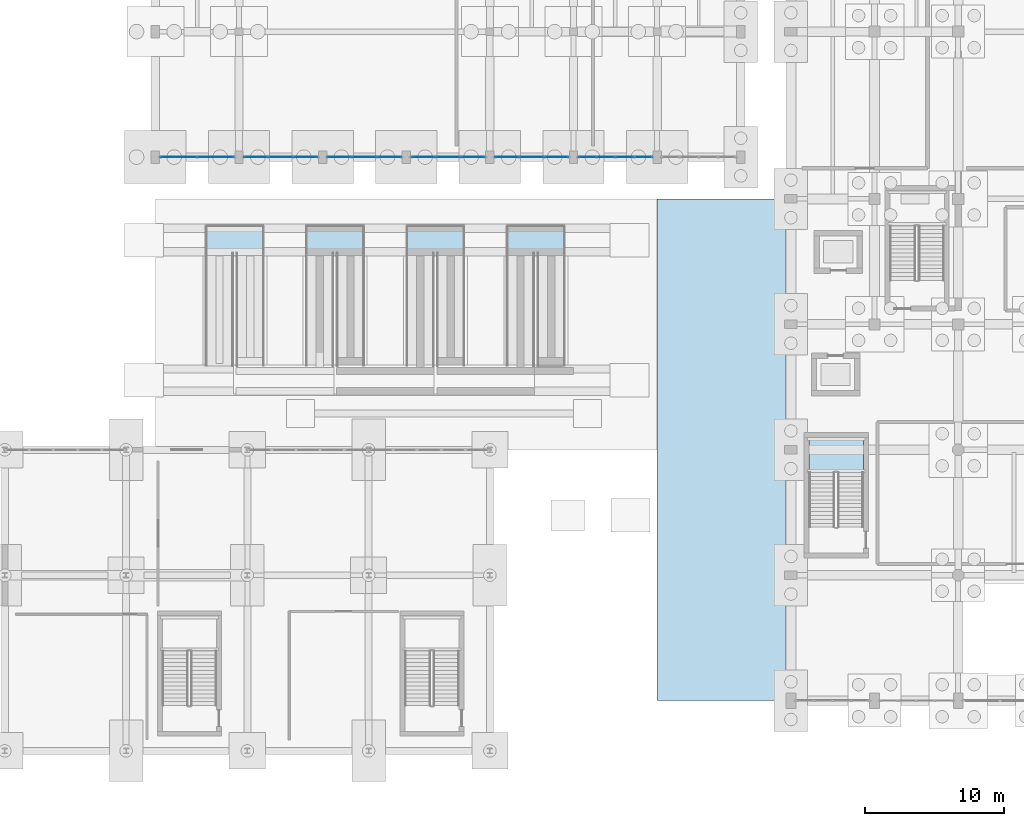
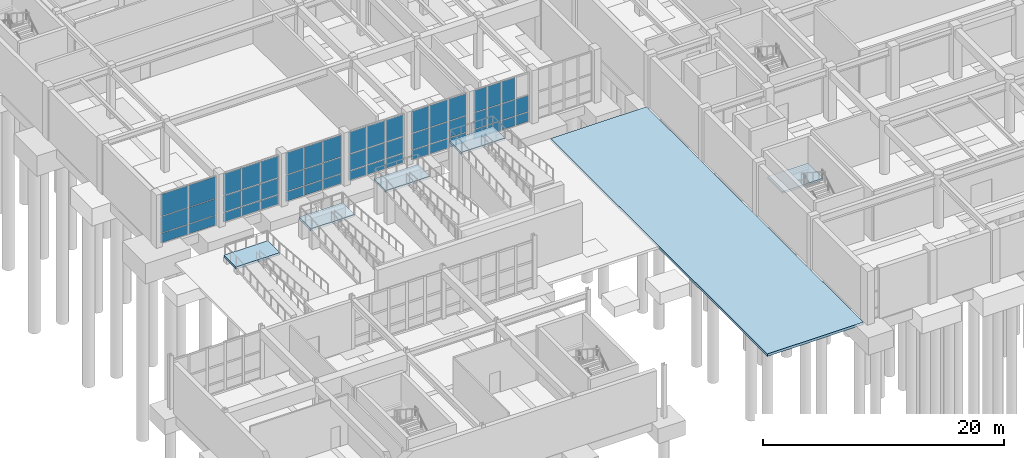
# One storey, part 43 of 69: 53 plates, 6 slabs, 11 elements without a shape of their own.
"""IFC4 building model written with IfcOpenShell, lengths in metres."""

import ifcopenshell
import ifcopenshell.guid

model = None  # the IFC model being written
_history = None  # IfcOwnerHistory: only IFC2X3 demands one
_inside = {}  # id of a spatial element -> (the spatial element, [elements in it])
_under = {}  # id of a project, library or spatial element -> (it, [spatial elements below it])
_declared = {}  # id of a project -> (the project, [libraries it declares])
_typed = {}  # id of a type object -> (the type object, [elements of that type])
_made_of = {}  # id of a material, layer set ... -> (it, [elements and type objects made of it])


def new_model(schema):
    """Start an empty IFC model of exactly this schema.

    Asked for "IFC4X3", IfcOpenShell would pick the latest addendum, in which some entities
    have other attributes; the version numbers below select the first issue.
    IFC2X3 requires an IfcOwnerHistory on every rooted entity: one is made here for all.
    """
    global model, _history
    if schema == "IFC4X3":
        model = ifcopenshell.file(schema_version=(4, 3, 0, 0))
    else:
        model = ifcopenshell.file(schema=schema)
    _inside.clear()
    _under.clear()
    _declared.clear()
    _typed.clear()
    _made_of.clear()
    _history = None
    if model.schema == "IFC2X3":
        org = make("IfcOrganization", Name="unknown")
        user = make(
            "IfcPersonAndOrganization",
            ThePerson=make("IfcPerson", FamilyName="unknown"),
            TheOrganization=org,
        )
        app = make(
            "IfcApplication",
            ApplicationDeveloper=org,
            Version="unknown",
            ApplicationFullName="unknown",
            ApplicationIdentifier="unknown",
        )
        _history = make(
            "IfcOwnerHistory",
            OwningUser=user,
            OwningApplication=app,
            ChangeAction="ADDED",
            CreationDate=0,
        )
    return model


def make(cls, **values):
    """One entity of the class cls with the attributes given. An attribute that is None is left unset."""
    return model.create_entity(
        cls, **{name: value for name, value in values.items() if value is not None}
    )


def rooted(cls, **values):
    """An entity with a GlobalId (a new one), such as an element, a storey or a relation."""
    return make(cls, GlobalId=ifcopenshell.guid.new(), OwnerHistory=_history, **values)


def si_unit(unit_type, name, prefix=None):
    """IfcSIUnit, for example si_unit("LENGTHUNIT", "METRE", prefix="MILLI")."""
    return make("IfcSIUnit", UnitType=unit_type, Prefix=prefix, Name=name)


def assignment(units):
    """IfcUnitAssignment: the units of a project."""
    return None if units is None else make("IfcUnitAssignment", Units=units)


def point(xyz):
    """IfcCartesianPoint."""
    return None if xyz is None else make("IfcCartesianPoint", Coordinates=xyz)


def direction(xyz):
    """IfcDirection."""
    return None if xyz is None else make("IfcDirection", DirectionRatios=xyz)


def frame(location, z_axis=None, x_axis=None):
    """IfcAxis2Placement3D, a coordinate frame: its origin and axes. An axis left out is left unset."""
    return make(
        "IfcAxis2Placement3D",
        Location=point(location),
        Axis=direction(z_axis),
        RefDirection=direction(x_axis),
    )


def frame_2d(location, x_axis=None):
    """IfcAxis2Placement2D, a coordinate frame in the plane: its origin and x axis."""
    return make(
        "IfcAxis2Placement2D", Location=point(location), RefDirection=direction(x_axis)
    )


def origin():
    """The frame at (0, 0, 0) with its axes left unset."""
    return frame((0.0, 0.0, 0.0))


def origin_2d():
    """The frame at (0, 0) in the plane with its x axis left unset."""
    return frame_2d((0.0, 0.0))


def place(relative_to, where):
    """IfcLocalPlacement: puts the frame where relative to a parent placement (None: the world)."""
    return make(
        "IfcLocalPlacement", PlacementRelTo=relative_to, RelativePlacement=where
    )


def context(
    kind, dimensions, precision=None, world=None, true_north=None, identifier=None
):
    """IfcGeometricRepresentationContext, for example the 3D "Model" context."""
    return make(
        "IfcGeometricRepresentationContext",
        ContextIdentifier=identifier,
        ContextType=kind,
        CoordinateSpaceDimension=dimensions,
        Precision=precision,
        WorldCoordinateSystem=world,
        TrueNorth=true_north,
    )


def subcontext(parent, identifier, kind, view, scale=None):
    """IfcGeometricRepresentationSubContext, for example "Body" below "Model"."""
    return make(
        "IfcGeometricRepresentationSubContext",
        ContextIdentifier=identifier,
        ContextType=kind,
        ParentContext=parent,
        TargetScale=scale,
        TargetView=view,
    )


def project(units=None, contexts=None):
    """IfcProject with its units and contexts."""
    return rooted(
        "IfcProject",
        Name="project",
        RepresentationContexts=contexts,
        UnitsInContext=assignment(units),
    )


def spatial(cls, under=None, at=None, **own):
    """A site, building, storey or space (cls), placed at a placement, below another one or the project."""
    s = rooted(cls, ObjectPlacement=at, **own)
    if under is not None:
        _under.setdefault(under.id(), (under, []))[1].append(s)
    return s


def polyline(points):
    """IfcPolyline through the points."""
    return make("IfcPolyline", Points=[point(p) for p in points])


def profile(cls, at=None, kind="AREA", **sizes):
    """A parametric profile (cls). Its sizes go by their IFC names, for example OverallWidth=200.0."""
    return make(cls, ProfileType=kind, Position=at, **sizes)


def rectangle(**sizes):
    """IfcRectangleProfileDef."""
    return profile("IfcRectangleProfileDef", **sizes)


def outline(outer, holes=None, kind="AREA"):
    """IfcArbitraryClosedProfileDef: a profile drawn as a closed curve; with holes, ...WithVoids."""
    if holes is None:
        return make("IfcArbitraryClosedProfileDef", ProfileType=kind, OuterCurve=outer)
    return make(
        "IfcArbitraryProfileDefWithVoids",
        ProfileType=kind,
        OuterCurve=outer,
        InnerCurves=holes,
    )


def extrude(swept, where, along, depth):
    """IfcExtrudedAreaSolid: the profile swept, set in the frame where, extruded along a direction by depth."""
    return make(
        "IfcExtrudedAreaSolid",
        SweptArea=swept,
        Position=where,
        ExtrudedDirection=direction(along),
        Depth=depth,
    )


def shape(context_of_items, identifier, shape_type, items):
    """IfcShapeRepresentation: the items that make up one representation, for example the "Body"."""
    return make(
        "IfcShapeRepresentation",
        ContextOfItems=context_of_items,
        RepresentationIdentifier=identifier,
        RepresentationType=shape_type,
        Items=items,
    )


def material(Name=None, Category=None):
    """IfcMaterial."""
    return make("IfcMaterial", Name=Name, Category=Category)


def layer(
    of_material, thickness, ventilated=None, Name=None, Category=None, Priority=None
):
    """IfcMaterialLayer: one layer of a wall or slab, of a material (None: an air gap)."""
    return make(
        "IfcMaterialLayer",
        Material=of_material,
        LayerThickness=thickness,
        IsVentilated=ventilated,
        Name=Name,
        Category=Category,
        Priority=Priority,
    )


def layer_set(layers, Name=None):
    """IfcMaterialLayerSet."""
    return make("IfcMaterialLayerSet", MaterialLayers=layers, LayerSetName=Name)


def made_of(thing, what):
    """Note that an element or type object is made of a material, layer set ...; save() writes the relation."""
    if what is not None:
        _made_of.setdefault(what.id(), (what, []))[1].append(thing)
    return thing


def type_object(cls, material=None, **own):
    """A type object (cls), such as IfcWallType, which elements share."""
    return made_of(rooted(cls, **own), material)


def element(
    cls,
    number,
    at=None,
    inside=None,
    cuts=None,
    type_object=None,
    material=None,
    context=None,
    identifier="Body",
    shape_type=None,
    held_by="IfcProductDefinitionShape",
    body=None,
    shapes=None,
    **own,
):
    """One element of the class cls, such as IfcWall. Its Tag is "e" and its number.

    at: its placement. inside: the storey or other place that contains it. cuts: it is an
    opening in that element (IfcRelVoidsElement). A single representation is given by context,
    identifier, shape_type and body (its items); several are given by shapes. held_by: the class
    of the entity that holds the representations. save() writes the other relations.
    """
    e = rooted(cls, Tag="e%d" % number, ObjectPlacement=at, **own)
    if body is not None:
        shapes = [shape(context, identifier, shape_type, body)]
    if shapes is not None:
        e.Representation = make(held_by, Representations=shapes)
    if inside is not None:
        _inside.setdefault(inside.id(), (inside, []))[1].append(e)
    if cuts is not None:
        rooted(
            "IfcRelVoidsElement", RelatingBuildingElement=cuts, RelatedOpeningElement=e
        )
    if type_object is not None:
        _typed.setdefault(type_object.id(), (type_object, []))[1].append(e)
    return made_of(e, material)


def aggregate(whole, parts):
    """IfcRelAggregates: a whole, such as a stair, and the parts it consists of."""
    return rooted("IfcRelAggregates", RelatingObject=whole, RelatedObjects=parts)


def save(model, path):
    """Write the relations noted so far, then the file.

    IfcRelAggregates (storeys below a building ...), IfcRelContainedInSpatialStructure (elements
    in a storey), IfcRelDefinesByType, IfcRelAssociatesMaterial and IfcRelDeclares: one each for
    every whole, place, type object, material and project.
    """
    for whole, parts in _under.values():
        aggregate(whole, parts)
    for where, things in _inside.values():
        rooted(
            "IfcRelContainedInSpatialStructure",
            RelatedElements=things,
            RelatingStructure=where,
        )
    for kind, things in _typed.values():
        rooted("IfcRelDefinesByType", RelatedObjects=things, RelatingType=kind)
    for what, things in _made_of.values():
        rooted("IfcRelAssociatesMaterial", RelatedObjects=things, RelatingMaterial=what)
    for by, libraries in _declared.values():
        rooted("IfcRelDeclares", RelatingContext=by, RelatedDefinitions=libraries)
    model.write(path)


model = new_model("IFC4")

# Units and contexts
model_context = context("Model", 3, precision=1e-05, world=origin(), true_north=direction((0.0, 1.0)))
body_context = subcontext(model_context, "Body", "Model", "MODEL_VIEW")
ifc_project = project(units=[si_unit("LENGTHUNIT", "METRE"), si_unit("AREAUNIT", "SQUARE_METRE"), si_unit("VOLUMEUNIT", "CUBIC_METRE"), si_unit("PLANEANGLEUNIT", "RADIAN"), si_unit("MASSUNIT", "GRAM", prefix="KILO")], contexts=[model_context])

# Site, building, storey
site_placement = place(None, origin())
site = spatial("IfcSite", under=ifc_project, at=site_placement, CompositionType="ELEMENT")
building_placement = place(site_placement, origin())
building = spatial("IfcBuilding", under=site, at=building_placement, Name="Vaelkrest Opera House", CompositionType="ELEMENT")
storey_placement = place(building_placement, frame((0.0, 0.0, -5.39990234375)))
storey = spatial("IfcBuildingStorey", under=building, at=storey_placement, Name="B1", CompositionType="ELEMENT", Elevation=-5.39990234375)

# Curtain wall, plates
ifc_material_1 = material(Name="Dark bronze anodized aluminium", Category="aluminium")
ifc_layer_1 = layer(ifc_material_1, 0.18994140625)
ifc_layer_set_1 = layer_set([ifc_layer_1], Name="Dark bronze anodized aluminium")
curtain_wall_type_1 = type_object("IfcCurtainWallType", Name="CW02", PredefinedType="NOTDEFINED", material=ifc_layer_set_1)
curtain_wall_1_placement = place(storey_placement, origin())
curtain_wall_1 = element("IfcCurtainWall", 1, at=curtain_wall_1_placement, inside=storey, type_object=curtain_wall_type_1, Name="Curtain wall CW-B1-082", PredefinedType="NOTDEFINED")
ifc_material_2 = material(Name="Double low-E insulated glazing", Category="glass")
ifc_layer_2 = layer(ifc_material_2, 0.030029296875)
ifc_layer_set_2 = layer_set([ifc_layer_2], Name="Double low-E insulated glazing")
plate_type_1 = type_object("IfcPlateType", Name="CWP02", PredefinedType="CURTAIN_PANEL", material=ifc_layer_set_2)
plate_1_placement = place(storey_placement, frame((-40.591064453125, -16.800048828125, 0.06982421875), z_axis=(0.0, 0.0, 1.0), x_axis=(-1.0, 0.0, 0.0)))
plate_1 = element("IfcPlate", 2, at=plate_1_placement, type_object=plate_type_1, Name="CW02 panel 1.1", PredefinedType="CURTAIN_PANEL", context=body_context, shape_type="SweptSolid", body=[
    extrude(rectangle(XDim=1.24609375, YDim=0.030029296875, at=origin_2d()), origin(), (0.0, 0.0, 1.0), 0.945068359375),
])
plate_2_placement = place(storey_placement, frame((-40.591064453125, -16.800048828125, 1.0849609375), z_axis=(0.0, 0.0, 1.0), x_axis=(-1.0, 0.0, 0.0)))
plate_2 = element("IfcPlate", 3, at=plate_2_placement, type_object=plate_type_1, Name="CW02 panel 1.2", PredefinedType="CURTAIN_PANEL", context=body_context, shape_type="SweptSolid", body=[
    extrude(rectangle(XDim=1.24609375, YDim=0.030029296875, at=origin_2d()), origin(), (0.0, 0.0, 1.0), 1.6298828125),
])
plate_3_placement = place(storey_placement, frame((-41.924560546875, -16.800048828125, 0.06982421875), z_axis=(0.0, 0.0, 1.0), x_axis=(-1.0, 0.0, 0.0)))
plate_3 = element("IfcPlate", 4, at=plate_3_placement, type_object=plate_type_1, Name="CW02 panel 2.1", PredefinedType="CURTAIN_PANEL", context=body_context, shape_type="SweptSolid", body=[
    extrude(rectangle(XDim=1.281005859375, YDim=0.030029296875, at=origin_2d()), origin(), (0.0, 0.0, 1.0), 0.945068359375),
])
plate_4_placement = place(storey_placement, frame((-41.924560546875, -16.800048828125, 1.0849609375), z_axis=(0.0, 0.0, 1.0), x_axis=(-1.0, 0.0, 0.0)))
plate_4 = element("IfcPlate", 5, at=plate_4_placement, type_object=plate_type_1, Name="CW02 panel 2.2", PredefinedType="CURTAIN_PANEL", context=body_context, shape_type="SweptSolid", body=[
    extrude(rectangle(XDim=1.281005859375, YDim=0.030029296875, at=origin_2d()), origin(), (0.0, 0.0, 1.0), 1.6298828125),
])
plate_5_placement = place(storey_placement, frame((-41.924560546875, -16.800048828125, 2.78466796875), z_axis=(0.0, 0.0, 1.0), x_axis=(-1.0, 0.0, 0.0)))
plate_5 = element("IfcPlate", 6, at=plate_5_placement, type_object=plate_type_1, Name="CW02 panel 2.3", PredefinedType="CURTAIN_PANEL", context=body_context, shape_type="SweptSolid", body=[
    extrude(rectangle(XDim=1.281005859375, YDim=0.030029296875, at=origin_2d()), origin(), (0.0, 0.0, 1.0), 2.195068359375),
])
plate_6_placement = place(storey_placement, frame((-43.275390625, -16.800048828125, 0.06982421875), z_axis=(0.0, 0.0, 1.0), x_axis=(-1.0, 0.0, 0.0)))
plate_6 = element("IfcPlate", 7, at=plate_6_placement, type_object=plate_type_1, Name="CW02 panel 3.1", PredefinedType="CURTAIN_PANEL", context=body_context, shape_type="SweptSolid", body=[
    extrude(rectangle(XDim=1.281005859375, YDim=0.030029296875, at=origin_2d()), origin(), (0.0, 0.0, 1.0), 0.945068359375),
])
plate_7_placement = place(storey_placement, frame((-43.275390625, -16.800048828125, 1.0849609375), z_axis=(0.0, 0.0, 1.0), x_axis=(-1.0, 0.0, 0.0)))
plate_7 = element("IfcPlate", 8, at=plate_7_placement, type_object=plate_type_1, Name="CW02 panel 3.2", PredefinedType="CURTAIN_PANEL", context=body_context, shape_type="SweptSolid", body=[
    extrude(rectangle(XDim=1.281005859375, YDim=0.030029296875, at=origin_2d()), origin(), (0.0, 0.0, 1.0), 1.6298828125),
])
plate_8_placement = place(storey_placement, frame((-43.275390625, -16.800048828125, 2.78466796875), z_axis=(0.0, 0.0, 1.0), x_axis=(-1.0, 0.0, 0.0)))
plate_8 = element("IfcPlate", 9, at=plate_8_placement, type_object=plate_type_1, Name="CW02 panel 3.3", PredefinedType="CURTAIN_PANEL", context=body_context, shape_type="SweptSolid", body=[
    extrude(rectangle(XDim=1.281005859375, YDim=0.030029296875, at=origin_2d()), origin(), (0.0, 0.0, 1.0), 2.195068359375),
])
plate_9_placement = place(storey_placement, frame((-44.60888671875, -16.800048828125, 0.06982421875), z_axis=(0.0, 0.0, 1.0), x_axis=(-1.0, 0.0, 0.0)))
plate_9 = element("IfcPlate", 10, at=plate_9_placement, type_object=plate_type_1, Name="CW02 panel 4.1", PredefinedType="CURTAIN_PANEL", context=body_context, shape_type="SweptSolid", body=[
    extrude(rectangle(XDim=1.24609375, YDim=0.030029296875, at=origin_2d()), origin(), (0.0, 0.0, 1.0), 0.945068359375),
])
plate_10_placement = place(storey_placement, frame((-44.60888671875, -16.800048828125, 1.0849609375), z_axis=(0.0, 0.0, 1.0), x_axis=(-1.0, 0.0, 0.0)))
plate_10 = element("IfcPlate", 11, at=plate_10_placement, type_object=plate_type_1, Name="CW02 panel 4.2", PredefinedType="CURTAIN_PANEL", context=body_context, shape_type="SweptSolid", body=[
    extrude(rectangle(XDim=1.24609375, YDim=0.030029296875, at=origin_2d()), origin(), (0.0, 0.0, 1.0), 1.6298828125),
])
plate_11_placement = place(storey_placement, frame((-44.60888671875, -16.800048828125, 2.78466796875), z_axis=(0.0, 0.0, 1.0), x_axis=(-1.0, 0.0, 0.0)))
plate_11 = element("IfcPlate", 12, at=plate_11_placement, type_object=plate_type_1, Name="CW02 panel 4.3", PredefinedType="CURTAIN_PANEL", context=body_context, shape_type="SweptSolid", body=[
    extrude(rectangle(XDim=1.24609375, YDim=0.030029296875, at=origin_2d()), origin(), (0.0, 0.0, 1.0), 2.195068359375),
])
aggregate(curtain_wall_1, [plate_1, plate_2, plate_3, plate_4, plate_5, plate_6, plate_7, plate_8, plate_9, plate_10, plate_11])

ifc_layer_3 = layer(ifc_material_1, 0.199951171875)
ifc_layer_set_3 = layer_set([ifc_layer_3], Name="Dark bronze anodized aluminium")
curtain_wall_type_2 = type_object("IfcCurtainWallType", Name="CW03", PredefinedType="NOTDEFINED", material=ifc_layer_set_3)
curtain_wall_2_placement = place(storey_placement, origin())
curtain_wall_2 = element("IfcCurtainWall", 13, at=curtain_wall_2_placement, inside=storey, type_object=curtain_wall_type_2, Name="Curtain wall CW-B1-083", PredefinedType="NOTDEFINED")
ifc_layer_4 = layer(ifc_material_2, 0.033935546875)
ifc_layer_set_4 = layer_set([ifc_layer_4], Name="Double low-E insulated glazing")
plate_type_2 = type_object("IfcPlateType", Name="CWP03", PredefinedType="CURTAIN_PANEL", material=ifc_layer_set_4)
plate_12_placement = place(storey_placement, frame((-46.8173828125, -16.800048828125, 0.074951171875), z_axis=(0.0, 0.0, 1.0), x_axis=(-1.0, 0.0, 0.0)))
plate_12 = element("IfcPlate", 14, at=plate_12_placement, type_object=plate_type_2, Name="CW03 panel 1.1", PredefinedType="CURTAIN_PANEL", context=body_context, shape_type="SweptSolid", body=[
    extrude(rectangle(XDim=1.688720703125, YDim=0.033935546875, at=origin_2d()), origin(), (0.0, 0.0, 1.0), 0.9375),
])
plate_13_placement = place(storey_placement, frame((-46.8173828125, -16.800048828125, 1.08740234375), z_axis=(0.0, 0.0, 1.0), x_axis=(-1.0, 0.0, 0.0)))
plate_13 = element("IfcPlate", 15, at=plate_13_placement, type_object=plate_type_2, Name="CW03 panel 1.2", PredefinedType="CURTAIN_PANEL", context=body_context, shape_type="SweptSolid", body=[
    extrude(rectangle(XDim=1.688720703125, YDim=0.033935546875, at=origin_2d()), origin(), (0.0, 0.0, 1.0), 1.625),
])
plate_14_placement = place(storey_placement, frame((-46.8173828125, -16.800048828125, 2.787353515625), z_axis=(0.0, 0.0, 1.0), x_axis=(-1.0, 0.0, 0.0)))
plate_14 = element("IfcPlate", 16, at=plate_14_placement, type_object=plate_type_2, Name="CW03 panel 1.3", PredefinedType="CURTAIN_PANEL", context=body_context, shape_type="SweptSolid", body=[
    extrude(rectangle(XDim=1.688720703125, YDim=0.033935546875, at=origin_2d()), origin(), (0.0, 0.0, 1.0), 2.1875),
])
plate_15_placement = place(storey_placement, frame((-48.60009765625, -16.800048828125, 0.074951171875), z_axis=(0.0, 0.0, 1.0), x_axis=(-1.0, 0.0, 0.0)))
plate_15 = element("IfcPlate", 17, at=plate_15_placement, type_object=plate_type_2, Name="CW03 panel 2.1", PredefinedType="CURTAIN_PANEL", context=body_context, shape_type="SweptSolid", body=[
    extrude(rectangle(XDim=1.726318359375, YDim=0.033935546875, at=origin_2d()), origin(), (0.0, 0.0, 1.0), 0.9375),
])
plate_16_placement = place(storey_placement, frame((-48.60009765625, -16.800048828125, 1.08740234375), z_axis=(0.0, 0.0, 1.0), x_axis=(-1.0, 0.0, 0.0)))
plate_16 = element("IfcPlate", 18, at=plate_16_placement, type_object=plate_type_2, Name="CW03 panel 2.2", PredefinedType="CURTAIN_PANEL", context=body_context, shape_type="SweptSolid", body=[
    extrude(rectangle(XDim=1.726318359375, YDim=0.033935546875, at=origin_2d()), origin(), (0.0, 0.0, 1.0), 1.625),
])
plate_17_placement = place(storey_placement, frame((-48.60009765625, -16.800048828125, 2.787353515625), z_axis=(0.0, 0.0, 1.0), x_axis=(-1.0, 0.0, 0.0)))
plate_17 = element("IfcPlate", 19, at=plate_17_placement, type_object=plate_type_2, Name="CW03 panel 2.3", PredefinedType="CURTAIN_PANEL", context=body_context, shape_type="SweptSolid", body=[
    extrude(rectangle(XDim=1.726318359375, YDim=0.033935546875, at=origin_2d()), origin(), (0.0, 0.0, 1.0), 2.1875),
])
plate_18_placement = place(storey_placement, frame((-50.382568359375, -16.800048828125, 0.074951171875), z_axis=(0.0, 0.0, 1.0), x_axis=(-1.0, 0.0, 0.0)))
plate_18 = element("IfcPlate", 20, at=plate_18_placement, type_object=plate_type_2, Name="CW03 panel 3.1", PredefinedType="CURTAIN_PANEL", context=body_context, shape_type="SweptSolid", body=[
    extrude(rectangle(XDim=1.688720703125, YDim=0.033935546875, at=origin_2d()), origin(), (0.0, 0.0, 1.0), 0.9375),
])
plate_19_placement = place(storey_placement, frame((-50.382568359375, -16.800048828125, 1.08740234375), z_axis=(0.0, 0.0, 1.0), x_axis=(-1.0, 0.0, 0.0)))
plate_19 = element("IfcPlate", 21, at=plate_19_placement, type_object=plate_type_2, Name="CW03 panel 3.2", PredefinedType="CURTAIN_PANEL", context=body_context, shape_type="SweptSolid", body=[
    extrude(rectangle(XDim=1.688720703125, YDim=0.033935546875, at=origin_2d()), origin(), (0.0, 0.0, 1.0), 1.625),
])
plate_20_placement = place(storey_placement, frame((-50.382568359375, -16.800048828125, 2.787353515625), z_axis=(0.0, 0.0, 1.0), x_axis=(-1.0, 0.0, 0.0)))
plate_20 = element("IfcPlate", 22, at=plate_20_placement, type_object=plate_type_2, Name="CW03 panel 3.3", PredefinedType="CURTAIN_PANEL", context=body_context, shape_type="SweptSolid", body=[
    extrude(rectangle(XDim=1.688720703125, YDim=0.033935546875, at=origin_2d()), origin(), (0.0, 0.0, 1.0), 2.1875),
])
aggregate(curtain_wall_2, [plate_12, plate_13, plate_14, plate_15, plate_16, plate_17, plate_18, plate_19, plate_20])

ifc_layer_5 = layer(ifc_material_1, 0.2099609375)
ifc_layer_set_5 = layer_set([ifc_layer_5], Name="Dark bronze anodized aluminium")
curtain_wall_type_3 = type_object("IfcCurtainWallType", Name="CW04", PredefinedType="NOTDEFINED", material=ifc_layer_set_5)
curtain_wall_3_placement = place(storey_placement, origin())
curtain_wall_3 = element("IfcCurtainWall", 23, at=curtain_wall_3_placement, inside=storey, type_object=curtain_wall_type_3, Name="Curtain wall CW-B1-084", PredefinedType="NOTDEFINED")
ifc_layer_6 = layer(ifc_material_2, 0.0380859375)
ifc_layer_set_6 = layer_set([ifc_layer_6], Name="Double low-E insulated glazing")
plate_type_3 = type_object("IfcPlateType", Name="CWP04", PredefinedType="CURTAIN_PANEL", material=ifc_layer_set_6)
plate_21_placement = place(storey_placement, frame((-52.818603515625, -16.800048828125, 0.080078125), z_axis=(0.0, 0.0, 1.0), x_axis=(-1.0, 0.0, 0.0)))
plate_21 = element("IfcPlate", 24, at=plate_21_placement, type_object=plate_type_3, Name="CW04 panel 1.1", PredefinedType="CURTAIN_PANEL", context=body_context, shape_type="SweptSolid", body=[
    extrude(rectangle(XDim=1.681396484375, YDim=0.0380859375, at=origin_2d()), origin(), (0.0, 0.0, 1.0), 0.929931640625),
])
plate_22_placement = place(storey_placement, frame((-52.818603515625, -16.800048828125, 1.08984375), z_axis=(0.0, 0.0, 1.0), x_axis=(-1.0, 0.0, 0.0)))
plate_22 = element("IfcPlate", 25, at=plate_22_placement, type_object=plate_type_3, Name="CW04 panel 1.2", PredefinedType="CURTAIN_PANEL", context=body_context, shape_type="SweptSolid", body=[
    extrude(rectangle(XDim=1.681396484375, YDim=0.0380859375, at=origin_2d()), origin(), (0.0, 0.0, 1.0), 1.6201171875),
])
plate_23_placement = place(storey_placement, frame((-52.818603515625, -16.800048828125, 2.7900390625), z_axis=(0.0, 0.0, 1.0), x_axis=(-1.0, 0.0, 0.0)))
plate_23 = element("IfcPlate", 26, at=plate_23_placement, type_object=plate_type_3, Name="CW04 panel 1.3", PredefinedType="CURTAIN_PANEL", context=body_context, shape_type="SweptSolid", body=[
    extrude(rectangle(XDim=1.681396484375, YDim=0.0380859375, at=origin_2d()), origin(), (0.0, 0.0, 1.0), 2.179931640625),
])
plate_24_placement = place(storey_placement, frame((-54.60009765625, -16.800048828125, 0.080078125), z_axis=(0.0, 0.0, 1.0), x_axis=(-1.0, 0.0, 0.0)))
plate_24 = element("IfcPlate", 27, at=plate_24_placement, type_object=plate_type_3, Name="CW04 panel 2.1", PredefinedType="CURTAIN_PANEL", context=body_context, shape_type="SweptSolid", body=[
    extrude(rectangle(XDim=1.721435546875, YDim=0.0380859375, at=origin_2d()), origin(), (0.0, 0.0, 1.0), 0.929931640625),
])
plate_25_placement = place(storey_placement, frame((-54.60009765625, -16.800048828125, 1.08984375), z_axis=(0.0, 0.0, 1.0), x_axis=(-1.0, 0.0, 0.0)))
plate_25 = element("IfcPlate", 28, at=plate_25_placement, type_object=plate_type_3, Name="CW04 panel 2.2", PredefinedType="CURTAIN_PANEL", context=body_context, shape_type="SweptSolid", body=[
    extrude(rectangle(XDim=1.721435546875, YDim=0.0380859375, at=origin_2d()), origin(), (0.0, 0.0, 1.0), 1.6201171875),
])
plate_26_placement = place(storey_placement, frame((-54.60009765625, -16.800048828125, 2.7900390625), z_axis=(0.0, 0.0, 1.0), x_axis=(-1.0, 0.0, 0.0)))
plate_26 = element("IfcPlate", 29, at=plate_26_placement, type_object=plate_type_3, Name="CW04 panel 2.3", PredefinedType="CURTAIN_PANEL", context=body_context, shape_type="SweptSolid", body=[
    extrude(rectangle(XDim=1.721435546875, YDim=0.0380859375, at=origin_2d()), origin(), (0.0, 0.0, 1.0), 2.179931640625),
])
plate_27_placement = place(storey_placement, frame((-56.38134765625, -16.800048828125, 0.080078125), z_axis=(0.0, 0.0, 1.0), x_axis=(-1.0, 0.0, 0.0)))
plate_27 = element("IfcPlate", 30, at=plate_27_placement, type_object=plate_type_3, Name="CW04 panel 3.1", PredefinedType="CURTAIN_PANEL", context=body_context, shape_type="SweptSolid", body=[
    extrude(rectangle(XDim=1.681396484375, YDim=0.0380859375, at=origin_2d()), origin(), (0.0, 0.0, 1.0), 0.929931640625),
])
plate_28_placement = place(storey_placement, frame((-56.38134765625, -16.800048828125, 1.08984375), z_axis=(0.0, 0.0, 1.0), x_axis=(-1.0, 0.0, 0.0)))
plate_28 = element("IfcPlate", 31, at=plate_28_placement, type_object=plate_type_3, Name="CW04 panel 3.2", PredefinedType="CURTAIN_PANEL", context=body_context, shape_type="SweptSolid", body=[
    extrude(rectangle(XDim=1.681396484375, YDim=0.0380859375, at=origin_2d()), origin(), (0.0, 0.0, 1.0), 1.6201171875),
])
plate_29_placement = place(storey_placement, frame((-56.38134765625, -16.800048828125, 2.7900390625), z_axis=(0.0, 0.0, 1.0), x_axis=(-1.0, 0.0, 0.0)))
plate_29 = element("IfcPlate", 32, at=plate_29_placement, type_object=plate_type_3, Name="CW04 panel 3.3", PredefinedType="CURTAIN_PANEL", context=body_context, shape_type="SweptSolid", body=[
    extrude(rectangle(XDim=1.681396484375, YDim=0.0380859375, at=origin_2d()), origin(), (0.0, 0.0, 1.0), 2.179931640625),
])
aggregate(curtain_wall_3, [plate_21, plate_22, plate_23, plate_24, plate_25, plate_26, plate_27, plate_28, plate_29])

ifc_layer_7 = layer(ifc_material_1, 0.219970703125)
ifc_layer_set_7 = layer_set([ifc_layer_7], Name="Dark bronze anodized aluminium")
curtain_wall_type_4 = type_object("IfcCurtainWallType", Name="CW05", PredefinedType="NOTDEFINED", material=ifc_layer_set_7)
curtain_wall_4_placement = place(storey_placement, origin())
curtain_wall_4 = element("IfcCurtainWall", 33, at=curtain_wall_4_placement, inside=storey, type_object=curtain_wall_type_4, Name="Curtain wall CW-B1-085", PredefinedType="NOTDEFINED")
ifc_layer_8 = layer(ifc_material_2, 0.0419921875)
ifc_layer_set_8 = layer_set([ifc_layer_8], Name="Double low-E insulated glazing")
plate_type_4 = type_object("IfcPlateType", Name="CWP05", PredefinedType="CURTAIN_PANEL", material=ifc_layer_set_8)
plate_30_placement = place(storey_placement, frame((-58.81494140625, -16.800048828125, 0.074951171875), z_axis=(0.0, 0.0, 1.0), x_axis=(-1.0, 0.0, 0.0)))
plate_30 = element("IfcPlate", 34, at=plate_30_placement, type_object=plate_type_4, Name="CW05 panel 1.1", PredefinedType="CURTAIN_PANEL", context=body_context, shape_type="SweptSolid", body=[
    extrude(rectangle(XDim=1.703857421875, YDim=0.0419921875, at=origin_2d()), origin(), (0.0, 0.0, 1.0), 0.9375),
])
plate_31_placement = place(storey_placement, frame((-58.81494140625, -16.800048828125, 1.08740234375), z_axis=(0.0, 0.0, 1.0), x_axis=(-1.0, 0.0, 0.0)))
plate_31 = element("IfcPlate", 35, at=plate_31_placement, type_object=plate_type_4, Name="CW05 panel 1.2", PredefinedType="CURTAIN_PANEL", context=body_context, shape_type="SweptSolid", body=[
    extrude(rectangle(XDim=1.703857421875, YDim=0.0419921875, at=origin_2d()), origin(), (0.0, 0.0, 1.0), 1.625),
])
plate_32_placement = place(storey_placement, frame((-58.81494140625, -16.800048828125, 2.787353515625), z_axis=(0.0, 0.0, 1.0), x_axis=(-1.0, 0.0, 0.0)))
plate_32 = element("IfcPlate", 36, at=plate_32_placement, type_object=plate_type_4, Name="CW05 panel 1.3", PredefinedType="CURTAIN_PANEL", context=body_context, shape_type="SweptSolid", body=[
    extrude(rectangle(XDim=1.703857421875, YDim=0.0419921875, at=origin_2d()), origin(), (0.0, 0.0, 1.0), 2.1875),
])
plate_33_placement = place(storey_placement, frame((-60.60009765625, -16.800048828125, 0.074951171875), z_axis=(0.0, 0.0, 1.0), x_axis=(-1.0, 0.0, 0.0)))
plate_33 = element("IfcPlate", 37, at=plate_33_placement, type_object=plate_type_4, Name="CW05 panel 2.1", PredefinedType="CURTAIN_PANEL", context=body_context, shape_type="SweptSolid", body=[
    extrude(rectangle(XDim=1.736328125, YDim=0.0419921875, at=origin_2d()), origin(), (0.0, 0.0, 1.0), 0.9375),
])
plate_34_placement = place(storey_placement, frame((-60.60009765625, -16.800048828125, 1.08740234375), z_axis=(0.0, 0.0, 1.0), x_axis=(-1.0, 0.0, 0.0)))
plate_34 = element("IfcPlate", 38, at=plate_34_placement, type_object=plate_type_4, Name="CW05 panel 2.2", PredefinedType="CURTAIN_PANEL", context=body_context, shape_type="SweptSolid", body=[
    extrude(rectangle(XDim=1.736328125, YDim=0.0419921875, at=origin_2d()), origin(), (0.0, 0.0, 1.0), 1.625),
])
plate_35_placement = place(storey_placement, frame((-60.60009765625, -16.800048828125, 2.787353515625), z_axis=(0.0, 0.0, 1.0), x_axis=(-1.0, 0.0, 0.0)))
plate_35 = element("IfcPlate", 39, at=plate_35_placement, type_object=plate_type_4, Name="CW05 panel 2.3", PredefinedType="CURTAIN_PANEL", context=body_context, shape_type="SweptSolid", body=[
    extrude(rectangle(XDim=1.736328125, YDim=0.0419921875, at=origin_2d()), origin(), (0.0, 0.0, 1.0), 2.1875),
])
plate_36_placement = place(storey_placement, frame((-62.385009765625, -16.800048828125, 0.074951171875), z_axis=(0.0, 0.0, 1.0), x_axis=(-1.0, 0.0, 0.0)))
plate_36 = element("IfcPlate", 40, at=plate_36_placement, type_object=plate_type_4, Name="CW05 panel 3.1", PredefinedType="CURTAIN_PANEL", context=body_context, shape_type="SweptSolid", body=[
    extrude(rectangle(XDim=1.703857421875, YDim=0.0419921875, at=origin_2d()), origin(), (0.0, 0.0, 1.0), 0.9375),
])
plate_37_placement = place(storey_placement, frame((-62.385009765625, -16.800048828125, 1.08740234375), z_axis=(0.0, 0.0, 1.0), x_axis=(-1.0, 0.0, 0.0)))
plate_37 = element("IfcPlate", 41, at=plate_37_placement, type_object=plate_type_4, Name="CW05 panel 3.2", PredefinedType="CURTAIN_PANEL", context=body_context, shape_type="SweptSolid", body=[
    extrude(rectangle(XDim=1.703857421875, YDim=0.0419921875, at=origin_2d()), origin(), (0.0, 0.0, 1.0), 1.625),
])
plate_38_placement = place(storey_placement, frame((-62.385009765625, -16.800048828125, 2.787353515625), z_axis=(0.0, 0.0, 1.0), x_axis=(-1.0, 0.0, 0.0)))
plate_38 = element("IfcPlate", 42, at=plate_38_placement, type_object=plate_type_4, Name="CW05 panel 3.3", PredefinedType="CURTAIN_PANEL", context=body_context, shape_type="SweptSolid", body=[
    extrude(rectangle(XDim=1.703857421875, YDim=0.0419921875, at=origin_2d()), origin(), (0.0, 0.0, 1.0), 2.1875),
])
aggregate(curtain_wall_4, [plate_30, plate_31, plate_32, plate_33, plate_34, plate_35, plate_36, plate_37, plate_38])

ifc_layer_9 = layer(ifc_material_1, 0.22998046875)
ifc_layer_set_9 = layer_set([ifc_layer_9], Name="Dark bronze anodized aluminium")
curtain_wall_type_5 = type_object("IfcCurtainWallType", Name="CW06", PredefinedType="NOTDEFINED", material=ifc_layer_set_9)
curtain_wall_5_placement = place(storey_placement, origin())
curtain_wall_5 = element("IfcCurtainWall", 43, at=curtain_wall_5_placement, inside=storey, type_object=curtain_wall_type_5, Name="Curtain wall CW-B1-086", PredefinedType="NOTDEFINED")
ifc_material_3 = material(Name="Dark bronze anodized aluminium spandrel", Category="aluminium")
ifc_layer_10 = layer(ifc_material_3, 0.0458984375)
ifc_layer_set_10 = layer_set([ifc_layer_10], Name="Dark bronze anodized aluminium spandrel")
plate_type_5 = type_object("IfcPlateType", Name="CWP06", PredefinedType="CURTAIN_PANEL", material=ifc_layer_set_10)
plate_39_placement = place(storey_placement, frame((-64.816162109375, -16.800048828125, 0.080078125), z_axis=(0.0, 0.0, 1.0), x_axis=(-1.0, 0.0, 0.0)))
plate_39 = element("IfcPlate", 44, at=plate_39_placement, type_object=plate_type_5, Name="CW06 panel 1.1", PredefinedType="CURTAIN_PANEL", context=body_context, shape_type="SweptSolid", body=[
    extrude(rectangle(XDim=1.6962890625, YDim=0.0458984375, at=origin_2d()), origin(), (0.0, 0.0, 1.0), 0.929931640625),
])
plate_40_placement = place(storey_placement, frame((-64.816162109375, -16.800048828125, 1.08984375), z_axis=(0.0, 0.0, 1.0), x_axis=(-1.0, 0.0, 0.0)))
plate_40 = element("IfcPlate", 45, at=plate_40_placement, type_object=plate_type_5, Name="CW06 panel 1.2", PredefinedType="CURTAIN_PANEL", context=body_context, shape_type="SweptSolid", body=[
    extrude(rectangle(XDim=1.6962890625, YDim=0.0458984375, at=origin_2d()), origin(), (0.0, 0.0, 1.0), 1.6201171875),
])
plate_41_placement = place(storey_placement, frame((-64.816162109375, -16.800048828125, 2.7900390625), z_axis=(0.0, 0.0, 1.0), x_axis=(-1.0, 0.0, 0.0)))
plate_41 = element("IfcPlate", 46, at=plate_41_placement, type_object=plate_type_5, Name="CW06 panel 1.3", PredefinedType="CURTAIN_PANEL", context=body_context, shape_type="SweptSolid", body=[
    extrude(rectangle(XDim=1.6962890625, YDim=0.0458984375, at=origin_2d()), origin(), (0.0, 0.0, 1.0), 2.179931640625),
])
plate_42_placement = place(storey_placement, frame((-66.60009765625, -16.800048828125, 0.080078125), z_axis=(0.0, 0.0, 1.0), x_axis=(-1.0, 0.0, 0.0)))
plate_42 = element("IfcPlate", 47, at=plate_42_placement, type_object=plate_type_5, Name="CW06 panel 2.1", PredefinedType="CURTAIN_PANEL", context=body_context, shape_type="SweptSolid", body=[
    extrude(rectangle(XDim=1.7314453125, YDim=0.0458984375, at=origin_2d()), origin(), (0.0, 0.0, 1.0), 0.929931640625),
])
plate_43_placement = place(storey_placement, frame((-66.60009765625, -16.800048828125, 1.08984375), z_axis=(0.0, 0.0, 1.0), x_axis=(-1.0, 0.0, 0.0)))
plate_43 = element("IfcPlate", 48, at=plate_43_placement, type_object=plate_type_5, Name="CW06 panel 2.2", PredefinedType="CURTAIN_PANEL", context=body_context, shape_type="SweptSolid", body=[
    extrude(rectangle(XDim=1.7314453125, YDim=0.0458984375, at=origin_2d()), origin(), (0.0, 0.0, 1.0), 1.6201171875),
])
plate_44_placement = place(storey_placement, frame((-66.60009765625, -16.800048828125, 2.7900390625), z_axis=(0.0, 0.0, 1.0), x_axis=(-1.0, 0.0, 0.0)))
plate_44 = element("IfcPlate", 49, at=plate_44_placement, type_object=plate_type_5, Name="CW06 panel 2.3", PredefinedType="CURTAIN_PANEL", context=body_context, shape_type="SweptSolid", body=[
    extrude(rectangle(XDim=1.7314453125, YDim=0.0458984375, at=origin_2d()), origin(), (0.0, 0.0, 1.0), 2.179931640625),
])
plate_45_placement = place(storey_placement, frame((-68.3837890625, -16.800048828125, 0.080078125), z_axis=(0.0, 0.0, 1.0), x_axis=(-1.0, 0.0, 0.0)))
plate_45 = element("IfcPlate", 50, at=plate_45_placement, type_object=plate_type_5, Name="CW06 panel 3.1", PredefinedType="CURTAIN_PANEL", context=body_context, shape_type="SweptSolid", body=[
    extrude(rectangle(XDim=1.6962890625, YDim=0.0458984375, at=origin_2d()), origin(), (0.0, 0.0, 1.0), 0.929931640625),
])
plate_46_placement = place(storey_placement, frame((-68.3837890625, -16.800048828125, 1.08984375), z_axis=(0.0, 0.0, 1.0), x_axis=(-1.0, 0.0, 0.0)))
plate_46 = element("IfcPlate", 51, at=plate_46_placement, type_object=plate_type_5, Name="CW06 panel 3.2", PredefinedType="CURTAIN_PANEL", context=body_context, shape_type="SweptSolid", body=[
    extrude(rectangle(XDim=1.6962890625, YDim=0.0458984375, at=origin_2d()), origin(), (0.0, 0.0, 1.0), 1.6201171875),
])
plate_47_placement = place(storey_placement, frame((-68.3837890625, -16.800048828125, 2.7900390625), z_axis=(0.0, 0.0, 1.0), x_axis=(-1.0, 0.0, 0.0)))
plate_47 = element("IfcPlate", 52, at=plate_47_placement, type_object=plate_type_5, Name="CW06 panel 3.3", PredefinedType="CURTAIN_PANEL", context=body_context, shape_type="SweptSolid", body=[
    extrude(rectangle(XDim=1.6962890625, YDim=0.0458984375, at=origin_2d()), origin(), (0.0, 0.0, 1.0), 2.179931640625),
])
aggregate(curtain_wall_5, [plate_39, plate_40, plate_41, plate_42, plate_43, plate_44, plate_45, plate_46, plate_47])

ifc_layer_11 = layer(ifc_material_1, 0.239990234375)
ifc_layer_set_11 = layer_set([ifc_layer_11], Name="Dark bronze anodized aluminium")
curtain_wall_type_6 = type_object("IfcCurtainWallType", Name="CW07", PredefinedType="NOTDEFINED", material=ifc_layer_set_11)
curtain_wall_6_placement = place(storey_placement, origin())
curtain_wall_6 = element("IfcCurtainWall", 53, at=curtain_wall_6_placement, inside=storey, type_object=curtain_wall_type_6, Name="Curtain wall CW-B1-087", PredefinedType="NOTDEFINED")
ifc_layer_12 = layer(ifc_material_3, 0.052001953125)
ifc_layer_set_12 = layer_set([ifc_layer_12], Name="Dark bronze anodized aluminium spandrel")
plate_type_6 = type_object("IfcPlateType", Name="CWP07", PredefinedType="CURTAIN_PANEL", material=ifc_layer_set_12)
plate_48_placement = place(storey_placement, frame((-71.267822265625, -16.800048828125, 0.06494140625), z_axis=(0.0, 0.0, 1.0), x_axis=(-1.0, 0.0, 0.0)))
plate_48 = element("IfcPlate", 54, at=plate_48_placement, type_object=plate_type_6, Name="CW07 panel 1.1", PredefinedType="CURTAIN_PANEL", context=body_context, shape_type="SweptSolid", body=[
    extrude(rectangle(XDim=2.589599609375, YDim=0.052001953125, at=origin_2d()), origin(), (0.0, 0.0, 1.0), 0.952392578125),
])
plate_49_placement = place(storey_placement, frame((-71.267822265625, -16.800048828125, 1.08251953125), z_axis=(0.0, 0.0, 1.0), x_axis=(-1.0, 0.0, 0.0)))
plate_49 = element("IfcPlate", 55, at=plate_49_placement, type_object=plate_type_6, Name="CW07 panel 1.2", PredefinedType="CURTAIN_PANEL", context=body_context, shape_type="SweptSolid", body=[
    extrude(rectangle(XDim=2.589599609375, YDim=0.052001953125, at=origin_2d()), origin(), (0.0, 0.0, 1.0), 1.635009765625),
])
plate_50_placement = place(storey_placement, frame((-71.267822265625, -16.800048828125, 2.7822265625), z_axis=(0.0, 0.0, 1.0), x_axis=(-1.0, 0.0, 0.0)))
plate_50 = element("IfcPlate", 56, at=plate_50_placement, type_object=plate_type_6, Name="CW07 panel 1.3", PredefinedType="CURTAIN_PANEL", context=body_context, shape_type="SweptSolid", body=[
    extrude(rectangle(XDim=2.589599609375, YDim=0.052001953125, at=origin_2d()), origin(), (0.0, 0.0, 1.0), 2.202392578125),
])
plate_51_placement = place(storey_placement, frame((-73.93212890625, -16.800048828125, 0.06494140625), z_axis=(0.0, 0.0, 1.0), x_axis=(-1.0, 0.0, 0.0)))
plate_51 = element("IfcPlate", 57, at=plate_51_placement, type_object=plate_type_6, Name="CW07 panel 2.1", PredefinedType="CURTAIN_PANEL", context=body_context, shape_type="SweptSolid", body=[
    extrude(rectangle(XDim=2.589599609375, YDim=0.052001953125, at=origin_2d()), origin(), (0.0, 0.0, 1.0), 0.952392578125),
])
plate_52_placement = place(storey_placement, frame((-73.93212890625, -16.800048828125, 1.08251953125), z_axis=(0.0, 0.0, 1.0), x_axis=(-1.0, 0.0, 0.0)))
plate_52 = element("IfcPlate", 58, at=plate_52_placement, type_object=plate_type_6, Name="CW07 panel 2.2", PredefinedType="CURTAIN_PANEL", context=body_context, shape_type="SweptSolid", body=[
    extrude(rectangle(XDim=2.589599609375, YDim=0.052001953125, at=origin_2d()), origin(), (0.0, 0.0, 1.0), 1.635009765625),
])
plate_53_placement = place(storey_placement, frame((-73.93212890625, -16.800048828125, 2.7822265625), z_axis=(0.0, 0.0, 1.0), x_axis=(-1.0, 0.0, 0.0)))
plate_53 = element("IfcPlate", 59, at=plate_53_placement, type_object=plate_type_6, Name="CW07 panel 2.3", PredefinedType="CURTAIN_PANEL", context=body_context, shape_type="SweptSolid", body=[
    extrude(rectangle(XDim=2.589599609375, YDim=0.052001953125, at=origin_2d()), origin(), (0.0, 0.0, 1.0), 2.202392578125),
])
aggregate(curtain_wall_6, [plate_48, plate_49, plate_50, plate_51, plate_52, plate_53])

# Ramp, slab
ifc_material_4 = material(Name="Concrete C40/50", Category="concrete")
ramp_type = type_object("IfcRampType", Name="RMP01", PredefinedType="STRAIGHT_RUN_RAMP", material=ifc_material_4)
ramp_1_placement = place(storey_placement, origin())
ramp_1 = element("IfcRamp", 60, at=ramp_1_placement, inside=storey, type_object=ramp_type, Name="Accessible forecourt ramp tier 1", PredefinedType="STRAIGHT_RUN_RAMP")
ifc_layer_13 = layer(ifc_material_4, 0.22509765625)
ifc_layer_set_13 = layer_set([ifc_layer_13], Name="Concrete C40/50")
slab_type_1 = type_object("IfcSlabType", Name="RLD01", PredefinedType="LANDING", material=ifc_layer_set_13)
slab_1_placement = place(storey_placement, frame((0.0, 0.0, 0.449951171875)))
slab_1 = element("IfcSlab", 61, at=slab_1_placement, type_object=slab_type_1, Name="Ramp half-landing RMP-FC-1-L1", PredefinedType="LANDING", context=body_context, shape_type="SweptSolid", body=[
    extrude(outline(polyline([(-72.0, -23.699951171875), (-67.800048828125, -23.699951171875), (-67.800048828125, -21.699951171875), (-72.0, -21.699951171875), (-72.0, -23.699951171875)])), origin(), (0.0, 0.0, 1.0), 0.224853515625),
])
aggregate(ramp_1, [slab_1])

ramp_2_placement = place(storey_placement, origin())
ramp_2 = element("IfcRamp", 62, at=ramp_2_placement, inside=storey, type_object=ramp_type, Name="Accessible forecourt ramp tier 2", PredefinedType="STRAIGHT_RUN_RAMP")
slab_2_placement = place(storey_placement, frame((0.0, 0.0, 1.7998046875)))
slab_2 = element("IfcSlab", 63, at=slab_2_placement, type_object=slab_type_1, Name="Ramp half-landing RMP-FC-2-L1", PredefinedType="LANDING", context=body_context, shape_type="SweptSolid", body=[
    extrude(outline(polyline([(-64.800048828125, -23.699951171875), (-60.60009765625, -23.699951171875), (-60.60009765625, -21.699951171875), (-64.800048828125, -21.699951171875), (-64.800048828125, -23.699951171875)])), origin(), (0.0, 0.0, 1.0), 0.22509765625),
])
aggregate(ramp_2, [slab_2])

ramp_3_placement = place(storey_placement, origin())
ramp_3 = element("IfcRamp", 64, at=ramp_3_placement, inside=storey, type_object=ramp_type, Name="Accessible forecourt ramp tier 3", PredefinedType="STRAIGHT_RUN_RAMP")
slab_3_placement = place(storey_placement, frame((0.0, 0.0, 3.14990234375)))
slab_3 = element("IfcSlab", 65, at=slab_3_placement, type_object=slab_type_1, Name="Ramp half-landing RMP-FC-3-L1", PredefinedType="LANDING", context=body_context, shape_type="SweptSolid", body=[
    extrude(outline(polyline([(-57.60009765625, -23.699951171875), (-53.39990234375, -23.699951171875), (-53.39990234375, -21.699951171875), (-57.60009765625, -21.699951171875), (-57.60009765625, -23.699951171875)])), origin(), (0.0, 0.0, 1.0), 0.22509765625),
])
aggregate(ramp_3, [slab_3])

ramp_4_placement = place(storey_placement, origin())
ramp_4 = element("IfcRamp", 66, at=ramp_4_placement, inside=storey, type_object=ramp_type, Name="Accessible forecourt ramp tier 4", PredefinedType="STRAIGHT_RUN_RAMP")
slab_4_placement = place(storey_placement, frame((0.0, 0.0, 4.5)))
slab_4 = element("IfcSlab", 67, at=slab_4_placement, type_object=slab_type_1, Name="Ramp half-landing RMP-FC-4-L1", PredefinedType="LANDING", context=body_context, shape_type="SweptSolid", body=[
    extrude(outline(polyline([(-50.39990234375, -23.699951171875), (-46.199951171875, -23.699951171875), (-46.199951171875, -21.699951171875), (-50.39990234375, -21.699951171875), (-50.39990234375, -23.699951171875)])), origin(), (0.0, 0.0, 1.0), 0.224853515625),
])
aggregate(ramp_4, [slab_4])

# Stair, slab
stair_type = type_object("IfcStairType", Name="ST03", PredefinedType="TWO_STRAIGHT_RUN_STAIR", material=ifc_material_4)
stair_placement = place(storey_placement, origin())
stair = element("IfcStair", 68, at=stair_placement, inside=storey, type_object=stair_type, Name="B1 Protected exit stair ST03", PredefinedType="TWO_STRAIGHT_RUN_STAIR")
ifc_layer_14 = layer(ifc_material_4, 0.199951171875)
ifc_layer_set_14 = layer_set([ifc_layer_14], Name="Concrete C40/50")
slab_type_2 = type_object("IfcSlabType", Name="SLD01", PredefinedType="LANDING", material=ifc_layer_set_14)
slab_5_placement = place(storey_placement, frame((0.0, 0.0, 2.5)))
slab_5 = element("IfcSlab", 69, at=slab_5_placement, type_object=slab_type_2, Name="ST03 landing 1", PredefinedType="LANDING", context=body_context, shape_type="SweptSolid", body=[
    extrude(outline(polyline([(-24.800048828125, -39.429931640625), (-24.800048828125, -36.89990234375), (-28.699951171875, -36.89990234375), (-28.699951171875, -39.429931640625), (-24.800048828125, -39.429931640625)])), origin(), (0.0, 0.0, 1.0), 0.199951171875),
])
aggregate(stair, [slab_5])

# Slab
ifc_layer_15 = layer(ifc_material_4, 0.2548828125)
ifc_layer_set_15 = layer_set([ifc_layer_15], Name="Concrete C40/50")
slab_type_3 = type_object("IfcSlabType", Name="TS01", PredefinedType="FLOOR", material=ifc_layer_set_15)
slab_6_placement = place(storey_placement, frame((0.0, 0.0, -0.255126953125)))
element("IfcSlab", 70, at=slab_6_placement, inside=storey, type_object=slab_type_3, Name="Terrace slab SLB-EXT-V1-B1-002", PredefinedType="FLOOR", context=body_context, shape_type="SweptSolid", body=[
    extrude(outline(polyline([(-39.60009765625, -55.800048828125), (-30.39990234375, -55.800048828125), (-30.39990234375, -19.800048828125), (-39.60009765625, -19.800048828125), (-39.60009765625, -55.800048828125)])), origin(), (0.0, 0.0, 1.0), 0.255126953125),
])

save(model, "model.ifc")
